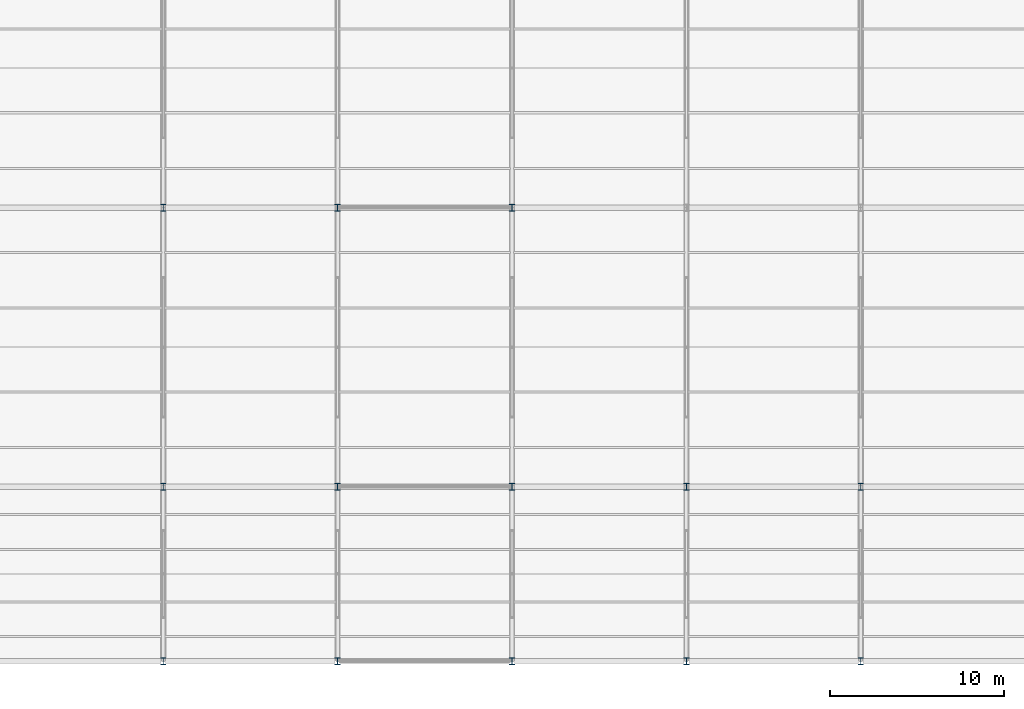
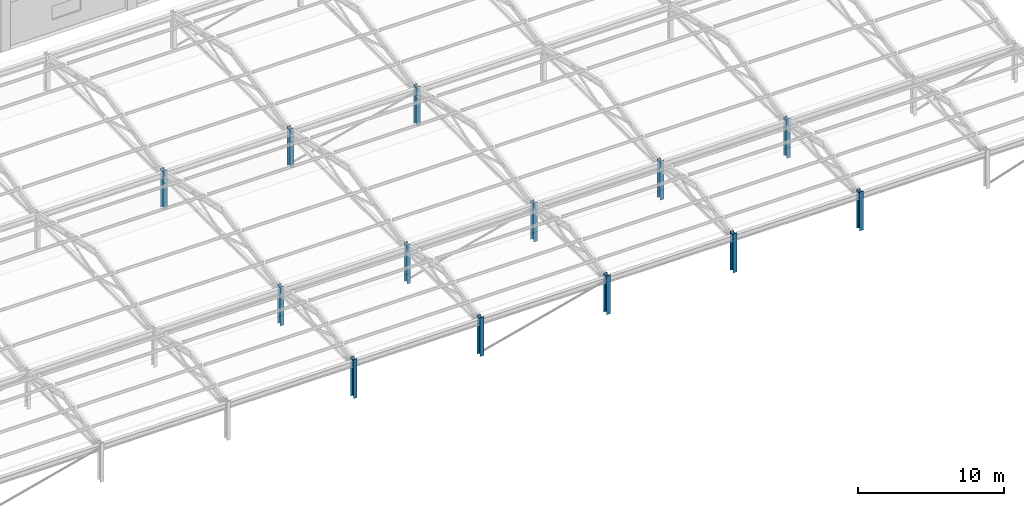
# One storey, part 10 of 109: 13 columns.
"""IFC4 building model written with IfcOpenShell, lengths in metres."""

from ifc_helpers import new_model, si_unit, direction, frame, origin, origin_2d, place, context, subcontext, project, spatial, i_section, extrude, material, material_profile, profile_set, type_object, element, save


model = new_model("IFC4")

# Units and contexts
model_context = context("Model", 3, precision=1e-05, world=origin(), true_north=direction((0.0, 1.0)))
body_context = subcontext(model_context, "Body", "Model", "MODEL_VIEW")
ifc_project = project(units=[si_unit("LENGTHUNIT", "METRE"), si_unit("AREAUNIT", "SQUARE_METRE"), si_unit("VOLUMEUNIT", "CUBIC_METRE"), si_unit("PLANEANGLEUNIT", "RADIAN"), si_unit("MASSUNIT", "GRAM", prefix="KILO")], contexts=[model_context])

# Site, building, storey
site_placement = place(None, origin())
site = spatial("IfcSite", under=ifc_project, at=site_placement, CompositionType="ELEMENT")
building_placement = place(site_placement, origin())
building = spatial("IfcBuilding", under=site, at=building_placement, Name="Kivolera Central Railway Station", CompositionType="ELEMENT")
storey_placement = place(building_placement, frame((0.0, 0.0, 9.60009765625)))
storey = spatial("IfcBuildingStorey", under=building, at=storey_placement, Name="L02", CompositionType="ELEMENT", Elevation=9.60009765625)

# Columns
ifc_material = material(Name="Steel S355", Category="steel")
ifc_material_profile = material_profile(ifc_material, i_section(OverallWidth=0.300048828125, OverallDepth=0.39990234375, WebThickness=0.013427734375, FlangeThickness=0.02392578125, FilletRadius=0.027099609375, at=origin_2d()), Name="HEB 400")
ifc_profile_set = profile_set([ifc_material_profile], Name="Steel S355")
column_type = type_object("IfcColumnType", Name="COL-STL-HEB400", PredefinedType="COLUMN", material=ifc_profile_set)
for number, where, z_axis, x_axis, name in (
    (1, (138.0, 6.0, 0.0), (0.0, 0.0, 1.0), (1.0, 0.0, 0.0), "L02 Train Shed Upper Mast 14-A"),
    (2, (138.0, 16.0, 0.0), (0.0, 0.0, 1.0), (1.0, 0.0, 0.0), "L02 Train Shed Upper Mast 14-B"),
    (3, (138.0, 32.0, 0.0), (0.0, 0.0, 1.0), (1.0, 0.0, 0.0), "L02 Train Shed Upper Mast 14-C"),
    (4, (148.0, 6.0, 0.0), (0.0, 0.0, 1.0), (1.0, 0.0, 0.0), "L02 Train Shed Upper Mast 15-A"),
    (5, (148.0, 16.0, 0.0), (0.0, 0.0, 1.0), (1.0, 0.0, 0.0), "L02 Train Shed Upper Mast 15-B"),
    (6, (148.0, 32.0, 0.0), (0.0, 0.0, 1.0), (1.0, 0.0, 0.0), "L02 Train Shed Upper Mast 15-C"),
    (7, (158.0, 6.0, 0.0), (0.0, 0.0, 1.0), (1.0, 0.0, 0.0), "L02 Train Shed Upper Mast 16-A"),
    (8, (158.0, 16.0, 0.0), (0.0, 0.0, 1.0), (1.0, 0.0, 0.0), "L02 Train Shed Upper Mast 16-B"),
    (9, (158.0, 32.0, 0.0), (0.0, 0.0, 1.0), (1.0, 0.0, 0.0), "L02 Train Shed Upper Mast 16-C"),
    (10, (168.0, 6.0, 0.0), (0.0, 0.0, 1.0), (1.0, 0.0, 0.0), "L02 Train Shed Upper Mast 17-A"),
    (11, (168.0, 16.0, 0.0), (0.0, 0.0, 1.0), (1.0, 0.0, 0.0), "L02 Train Shed Upper Mast 17-B"),
    (12, (178.0, 6.0, 0.0), (0.0, 0.0, 1.0), (1.0, 0.0, 0.0), "L02 Train Shed Upper Mast 18-A"),
    (13, (178.0, 16.0, 0.0), (0.0, 0.0, 1.0), (1.0, 0.0, 0.0), "L02 Train Shed Upper Mast 18-B"),
):
    element("IfcColumn", number, at=place(storey_placement, frame(where, z_axis=z_axis, x_axis=x_axis)), inside=storey, type_object=column_type, Name=name, PredefinedType="COLUMN", context=body_context, shape_type="SweptSolid", body=[
        extrude(i_section(OverallWidth=0.300048828125, OverallDepth=0.39990234375, WebThickness=0.013427734375, FlangeThickness=0.02392578125, FilletRadius=0.027099609375, at=origin_2d()), origin(), (0.0, 0.0, 1.0), 3.25),
    ])

save(model, "model.ifc")
